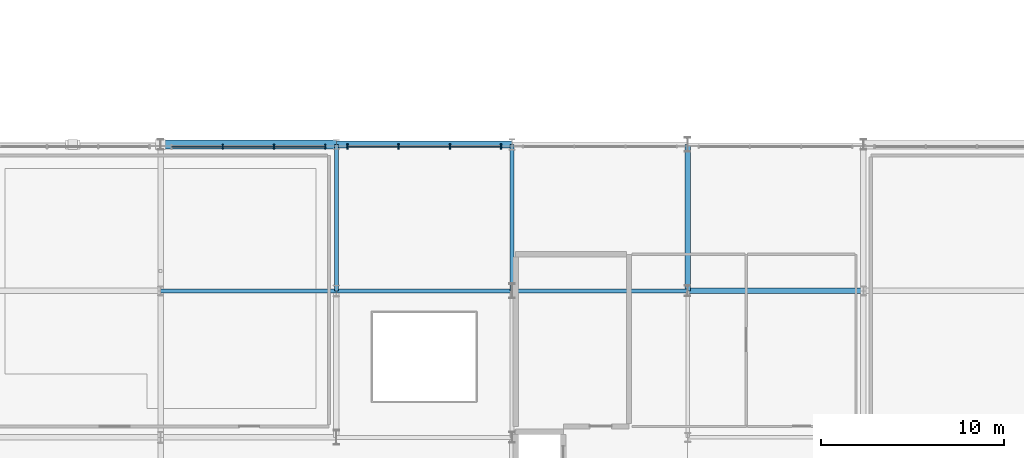
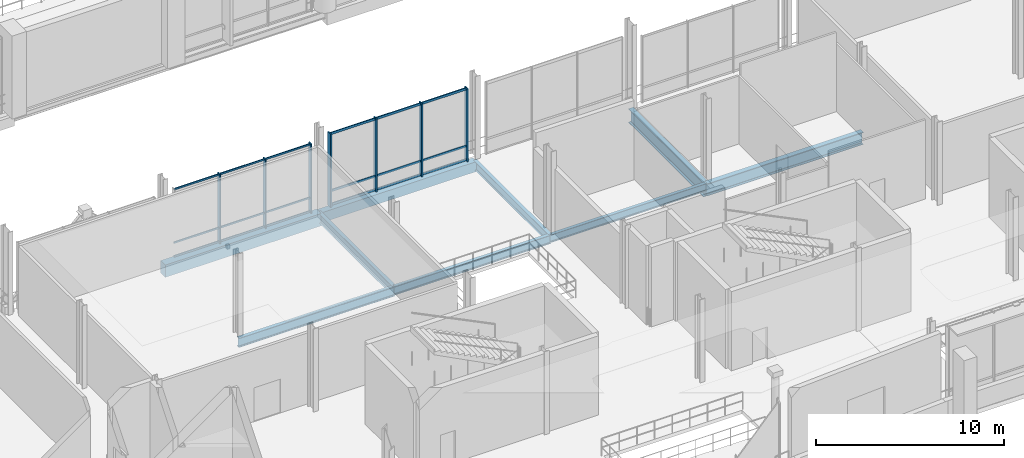
# One storey, part 33 of 129: 13 members, 9 beams, 2 elements without a shape of their own.
"""IFC4 building model written with IfcOpenShell, lengths in metres."""

from ifc_helpers import new_model, si_unit, direction, frame, origin, origin_2d, place, context, subcontext, project, spatial, rectangle, i_section, extrude, material, material_profile, profile_set, type_object, element, aggregate, save


model = new_model("IFC4")

# Units and contexts
model_context = context("Model", 3, precision=1e-05, world=origin(), true_north=direction((0.0, 1.0)))
body_context = subcontext(model_context, "Body", "Model", "MODEL_VIEW")
ifc_project = project(units=[si_unit("LENGTHUNIT", "METRE"), si_unit("AREAUNIT", "SQUARE_METRE"), si_unit("VOLUMEUNIT", "CUBIC_METRE"), si_unit("PLANEANGLEUNIT", "RADIAN"), si_unit("MASSUNIT", "GRAM", prefix="KILO")], contexts=[model_context])

# Site, building, storey
site_placement = place(None, origin())
site = spatial("IfcSite", under=ifc_project, at=site_placement, CompositionType="ELEMENT")
building_placement = place(site_placement, origin())
building = spatial("IfcBuilding", under=site, at=building_placement, Name="Danafjord Basin Convention Centre", CompositionType="ELEMENT")
storey_placement = place(building_placement, frame((0.0, 0.0, 6.0)))
storey = spatial("IfcBuildingStorey", under=building, at=storey_placement, Name="L01", CompositionType="ELEMENT", Elevation=6.0)

# Beams
ifc_material_1 = material(Name="Steel S355", Category="steel")
ifc_material_profile_1 = material_profile(ifc_material_1, i_section(OverallWidth=0.300048828125, OverallDepth=0.800048828125, WebThickness=0.017578125, FlangeThickness=0.032958984375, FilletRadius=0.030029296875, at=origin_2d()), Name="HEB 800")
ifc_profile_set_1 = profile_set([ifc_material_profile_1], Name="Steel S355")
beam_type_1 = type_object("IfcBeamType", Name="BEAM-BM-HEB800", PredefinedType="BEAM", material=ifc_profile_set_1)
beam_1_placement = place(storey_placement, frame((57.60009765625, 32.0, -0.6298828125), z_axis=(1.0, 0.0, 0.0), x_axis=(0.0, 1.0, 0.0)))
element("IfcBeam", 1, at=beam_1_placement, inside=storey, type_object=beam_type_1, Name="L01 girder BM-HEB800", PredefinedType="BEAM", context=body_context, shape_type="SweptSolid", body=[
    extrude(i_section(OverallWidth=0.300048828125, OverallDepth=0.800048828125, WebThickness=0.017578125, FlangeThickness=0.032958984375, FilletRadius=0.030029296875, at=origin_2d()), origin(), (0.0, 0.0, 1.0), 9.599853515625),
])
ifc_material_profile_2 = material_profile(ifc_material_1, i_section(OverallWidth=0.300048828125, OverallDepth=0.89990234375, WebThickness=0.0185546875, FlangeThickness=0.034912109375, FilletRadius=0.030029296875, at=origin_2d()), Name="HEB 900")
ifc_profile_set_2 = profile_set([ifc_material_profile_2], Name="Steel S355")
beam_type_2 = type_object("IfcBeamType", Name="BEAM-BM-HEB900", PredefinedType="BEAM", material=ifc_profile_set_2)
beam_2_placement = place(storey_placement, frame((57.60009765625, 32.0, -0.679931640625), z_axis=(0.0, 1.0, 0.0), x_axis=(-1.0, 0.0, 0.0)))
element("IfcBeam", 2, at=beam_2_placement, inside=storey, type_object=beam_type_2, Name="L01 transverse girder BM-HEB900", PredefinedType="BEAM", context=body_context, shape_type="SweptSolid", body=[
    extrude(i_section(OverallWidth=0.300048828125, OverallDepth=0.89990234375, WebThickness=0.0185546875, FlangeThickness=0.034912109375, FilletRadius=0.030029296875, at=origin_2d()), origin(), (0.0, 0.0, 1.0), 8.0),
])
ifc_material_profile_3 = material_profile(ifc_material_1, i_section(OverallWidth=0.199951171875, OverallDepth=0.5, WebThickness=0.01025390625, FlangeThickness=0.01611328125, FilletRadius=0.02099609375, at=origin_2d()), Name="IPE 500")
ifc_profile_set_3 = profile_set([ifc_material_profile_3], Name="Steel S355")
beam_type_3 = type_object("IfcBeamType", Name="BEAM-BM-IPE500", PredefinedType="BEAM", material=ifc_profile_set_3)
beam_3_placement = place(storey_placement, frame((48.0, 32.0, -0.47998046875), z_axis=(1.0, 0.0, 0.0), x_axis=(0.0, 1.0, 0.0)))
element("IfcBeam", 3, at=beam_3_placement, inside=storey, type_object=beam_type_3, Name="L01 girder BM-IPE500", PredefinedType="BEAM", context=body_context, shape_type="SweptSolid", body=[
    extrude(i_section(OverallWidth=0.199951171875, OverallDepth=0.5, WebThickness=0.01025390625, FlangeThickness=0.01611328125, FilletRadius=0.02099609375, at=origin_2d()), origin(), (0.0, 0.0, 1.0), 9.60009765625),
])
ifc_material_profile_4 = material_profile(ifc_material_1, i_section(OverallWidth=0.2099609375, OverallDepth=0.550048828125, WebThickness=0.010986328125, FlangeThickness=0.01708984375, FilletRadius=0.02392578125, at=origin_2d()), Name="IPE 550")
ifc_profile_set_4 = profile_set([ifc_material_profile_4], Name="Steel S355")
beam_type_4 = type_object("IfcBeamType", Name="BEAM-BM-IPE550", PredefinedType="BEAM", material=ifc_profile_set_4)
beam_4_placement = place(storey_placement, frame((38.39990234375, 32.0, -0.5048828125), z_axis=(1.0, 0.0, 0.0), x_axis=(0.0, 1.0, 0.0)))
element("IfcBeam", 4, at=beam_4_placement, inside=storey, type_object=beam_type_4, Name="L01 girder BM-IPE550", PredefinedType="BEAM", context=body_context, shape_type="SweptSolid", body=[
    extrude(i_section(OverallWidth=0.2099609375, OverallDepth=0.550048828125, WebThickness=0.010986328125, FlangeThickness=0.01708984375, FilletRadius=0.02392578125, at=origin_2d()), origin(), (0.0, 0.0, 1.0), 9.60009765625),
])
beam_5_placement = place(storey_placement, frame((48.0, 32.0, -0.5048828125), z_axis=(0.0, 1.0, 0.0), x_axis=(-1.0, 0.0, 0.0)))
element("IfcBeam", 5, at=beam_5_placement, inside=storey, type_object=beam_type_4, Name="L01 transverse girder BM-IPE550", PredefinedType="BEAM", context=body_context, shape_type="SweptSolid", body=[
    extrude(i_section(OverallWidth=0.2099609375, OverallDepth=0.550048828125, WebThickness=0.010986328125, FlangeThickness=0.01708984375, FilletRadius=0.02392578125, at=origin_2d()), origin(), (0.0, 0.0, 1.0), 8.0),
])
ifc_material_profile_5 = material_profile(ifc_material_1, i_section(OverallWidth=0.219970703125, OverallDepth=0.60009765625, WebThickness=0.011962890625, FlangeThickness=0.01904296875, FilletRadius=0.02392578125, at=origin_2d()), Name="IPE 600")
ifc_profile_set_5 = profile_set([ifc_material_profile_5], Name="Steel S355")
beam_type_5 = type_object("IfcBeamType", Name="BEAM-BM-IPE600", PredefinedType="BEAM", material=ifc_profile_set_5)
beam_6_placement = place(storey_placement, frame((28.800048828125, 32.0, -0.530029296875), z_axis=(1.0, 0.0, 0.0), x_axis=(0.0, 1.0, 0.0)))
element("IfcBeam", 6, at=beam_6_placement, inside=storey, type_object=beam_type_5, Name="L01 girder BM-IPE600", PredefinedType="BEAM", context=body_context, shape_type="SweptSolid", body=[
    extrude(i_section(OverallWidth=0.219970703125, OverallDepth=0.60009765625, WebThickness=0.011962890625, FlangeThickness=0.01904296875, FilletRadius=0.02392578125, at=origin_2d()), origin(), (0.0, 0.0, 1.0), 9.599853515625),
])
beam_7_placement = place(storey_placement, frame((38.39990234375, 32.0, -0.530029296875), z_axis=(0.0, 1.0, 0.0), x_axis=(-1.0, 0.0, 0.0)))
element("IfcBeam", 7, at=beam_7_placement, inside=storey, type_object=beam_type_5, Name="L01 transverse girder BM-IPE600", PredefinedType="BEAM", context=body_context, shape_type="SweptSolid", body=[
    extrude(i_section(OverallWidth=0.219970703125, OverallDepth=0.60009765625, WebThickness=0.011962890625, FlangeThickness=0.01904296875, FilletRadius=0.02392578125, at=origin_2d()), origin(), (0.0, 0.0, 1.0), 8.0),
])
ifc_material_2 = material(Name="Precast concrete C45/55", Category="concrete")
ifc_material_profile_6 = material_profile(ifc_material_2, rectangle(XDim=0.39990234375, YDim=0.64990234375, at=origin_2d()), Name="PCB 400x650")
ifc_profile_set_6 = profile_set([ifc_material_profile_6], Name="Precast concrete C45/55")
beam_type_6 = type_object("IfcBeamType", Name="BEAM-SP-PCB650", PredefinedType="SPANDREL", material=ifc_profile_set_6)
beam_8_placement = place(storey_placement, frame((38.39990234375, 40.0, -0.554931640625), z_axis=(1.0, 0.0, 0.0), x_axis=(0.0, 1.0, 0.0)))
element("IfcBeam", 8, at=beam_8_placement, inside=storey, type_object=beam_type_6, Name="L01 girder SP-PCB650", PredefinedType="SPANDREL", context=body_context, shape_type="SweptSolid", body=[
    extrude(rectangle(XDim=0.39990234375, YDim=0.64990234375, at=origin_2d()), origin(), (0.0, 0.0, 1.0), 9.60009765625),
])
ifc_material_profile_7 = material_profile(ifc_material_2, rectangle(XDim=0.5, YDim=0.800048828125, at=origin_2d()), Name="PCB 500x800")
ifc_profile_set_7 = profile_set([ifc_material_profile_7], Name="Precast concrete C45/55")
beam_type_7 = type_object("IfcBeamType", Name="BEAM-SP-PCB800", PredefinedType="SPANDREL", material=ifc_profile_set_7)
beam_9_placement = place(storey_placement, frame((28.800048828125, 40.0, -0.6298828125), z_axis=(1.0, 0.0, 0.0), x_axis=(0.0, 1.0, 0.0)))
element("IfcBeam", 9, at=beam_9_placement, inside=storey, type_object=beam_type_7, Name="L01 girder SP-PCB800", PredefinedType="SPANDREL", context=body_context, shape_type="SweptSolid", body=[
    extrude(rectangle(XDim=0.5, YDim=0.800048828125, at=origin_2d()), origin(), (0.0, 0.0, 1.0), 9.599853515625),
])

# Curtain wall, members
ifc_material_3 = material(Name="Anodised aluminium and triple glazing", Category="aluminium")
curtain_wall_type = type_object("IfcCurtainWallType", Name="CW-CW-TERR", PredefinedType="NOTDEFINED", material=ifc_material_3)
curtain_wall_1_placement = place(storey_placement, origin())
curtain_wall_1 = element("IfcCurtainWall", 10, at=curtain_wall_1_placement, inside=storey, type_object=curtain_wall_type, Name="L01 CW-TERR unitised curtain wall bay 48", PredefinedType="NOTDEFINED")
ifc_material_4 = material(Name="Anodised aluminium EN AW-6060", Category="aluminium")
ifc_material_profile_8 = material_profile(ifc_material_4, rectangle(XDim=0.070068359375, YDim=0.260009765625, at=origin_2d()), Name="MULL 70x260")
ifc_profile_set_8 = profile_set([ifc_material_profile_8], Name="Anodised aluminium EN AW-6060")
member_type_1 = type_object("IfcMemberType", Name="MEM-ML-260", PredefinedType="MULLION", material=ifc_profile_set_8)
member_1_placement = place(storey_placement, frame((37.800048828125, 39.8798828125, -0.02490234375), z_axis=(0.0, 0.0, 1.0), x_axis=(-1.0, 0.0, 0.0)))
member_1 = element("IfcMember", 11, at=member_1_placement, type_object=member_type_1, Name="CW-L01-048 mullion 1", PredefinedType="MULLION", context=body_context, shape_type="SweptSolid", body=[
    extrude(rectangle(XDim=0.070068359375, YDim=0.260009765625, at=origin_2d()), origin(), (0.0, 0.0, 1.0), 4.514892578125),
])
member_2_placement = place(storey_placement, frame((35.0, 39.8798828125, -0.02490234375), z_axis=(0.0, 0.0, 1.0), x_axis=(-1.0, 0.0, 0.0)))
member_2 = element("IfcMember", 12, at=member_2_placement, type_object=member_type_1, Name="CW-L01-048 mullion 2", PredefinedType="MULLION", context=body_context, shape_type="SweptSolid", body=[
    extrude(rectangle(XDim=0.070068359375, YDim=0.260009765625, at=origin_2d()), origin(), (0.0, 0.0, 1.0), 4.514892578125),
])
member_3_placement = place(storey_placement, frame((32.199951171875, 39.8798828125, -0.02490234375), z_axis=(0.0, 0.0, 1.0), x_axis=(-1.0, 0.0, 0.0)))
member_3 = element("IfcMember", 13, at=member_3_placement, type_object=member_type_1, Name="CW-L01-048 mullion 3", PredefinedType="MULLION", context=body_context, shape_type="SweptSolid", body=[
    extrude(rectangle(XDim=0.070068359375, YDim=0.260009765625, at=origin_2d()), origin(), (0.0, 0.0, 1.0), 4.514892578125),
])

curtain_wall_2_placement = place(storey_placement, origin())
curtain_wall_2 = element("IfcCurtainWall", 14, at=curtain_wall_2_placement, inside=storey, type_object=curtain_wall_type, Name="L01 CW-TERR unitised curtain wall bay 49", PredefinedType="NOTDEFINED")
ifc_material_profile_9 = material_profile(ifc_material_4, rectangle(XDim=0.080078125, YDim=0.300048828125, at=origin_2d()), Name="MULL 80x300")
ifc_profile_set_9 = profile_set([ifc_material_profile_9], Name="Anodised aluminium EN AW-6060")
member_type_2 = type_object("IfcMemberType", Name="MEM-ML-300", PredefinedType="MULLION", material=ifc_profile_set_9)
member_4_placement = place(storey_placement, frame((47.39990234375, 39.8798828125, -0.02490234375), z_axis=(0.0, 0.0, 1.0), x_axis=(-1.0, 0.0, 0.0)))
member_4 = element("IfcMember", 15, at=member_4_placement, type_object=member_type_2, Name="CW-L01-049 mullion 1", PredefinedType="MULLION", context=body_context, shape_type="SweptSolid", body=[
    extrude(rectangle(XDim=0.080078125, YDim=0.300048828125, at=origin_2d()), origin(), (0.0, 0.0, 1.0), 4.764892578125),
])
member_5_placement = place(storey_placement, frame((44.60009765625, 39.8798828125, -0.02490234375), z_axis=(0.0, 0.0, 1.0), x_axis=(-1.0, 0.0, 0.0)))
member_5 = element("IfcMember", 16, at=member_5_placement, type_object=member_type_2, Name="CW-L01-049 mullion 2", PredefinedType="MULLION", context=body_context, shape_type="SweptSolid", body=[
    extrude(rectangle(XDim=0.080078125, YDim=0.300048828125, at=origin_2d()), origin(), (0.0, 0.0, 1.0), 4.764892578125),
])
member_6_placement = place(storey_placement, frame((41.800048828125, 39.8798828125, -0.02490234375), z_axis=(0.0, 0.0, 1.0), x_axis=(-1.0, 0.0, 0.0)))
member_6 = element("IfcMember", 17, at=member_6_placement, type_object=member_type_2, Name="CW-L01-049 mullion 3", PredefinedType="MULLION", context=body_context, shape_type="SweptSolid", body=[
    extrude(rectangle(XDim=0.080078125, YDim=0.300048828125, at=origin_2d()), origin(), (0.0, 0.0, 1.0), 4.764892578125),
])
member_7_placement = place(storey_placement, frame((39.0, 39.8798828125, -0.02490234375), z_axis=(0.0, 0.0, 1.0), x_axis=(-1.0, 0.0, 0.0)))
member_7 = element("IfcMember", 18, at=member_7_placement, type_object=member_type_2, Name="CW-L01-049 mullion 4", PredefinedType="MULLION", context=body_context, shape_type="SweptSolid", body=[
    extrude(rectangle(XDim=0.080078125, YDim=0.300048828125, at=origin_2d()), origin(), (0.0, 0.0, 1.0), 4.764892578125),
])

# Member
ifc_material_profile_10 = material_profile(ifc_material_4, rectangle(XDim=0.06005859375, YDim=0.110107421875, at=origin_2d()), Name="TRAN 60x110")
ifc_profile_set_10 = profile_set([ifc_material_profile_10], Name="Anodised aluminium EN AW-6060")
member_type_3 = type_object("IfcMemberType", Name="MEM-TR-110", PredefinedType="USERDEFINED", material=ifc_profile_set_10)
member_8_placement = place(storey_placement, frame((37.800048828125, 39.8798828125, 0.06005859375), z_axis=(-1.0, 0.0, 0.0), x_axis=(0.0, -1.0, 0.0)))
member_8 = element("IfcMember", 19, at=member_8_placement, type_object=member_type_3, Name="CW-L01-048 transom 1", ObjectType="TRANSOM", PredefinedType="USERDEFINED", context=body_context, shape_type="SweptSolid", body=[
    extrude(rectangle(XDim=0.06005859375, YDim=0.110107421875, at=origin_2d()), origin(), (0.0, 0.0, 1.0), 8.400146484375),
])

member_9_placement = place(storey_placement, frame((37.800048828125, 39.8798828125, 0.949951171875), z_axis=(-1.0, 0.0, 0.0), x_axis=(0.0, -1.0, 0.0)))
member_9 = element("IfcMember", 20, at=member_9_placement, type_object=member_type_3, Name="CW-L01-048 transom 2", ObjectType="TRANSOM", PredefinedType="USERDEFINED", context=body_context, shape_type="SweptSolid", body=[
    extrude(rectangle(XDim=0.06005859375, YDim=0.110107421875, at=origin_2d()), origin(), (0.0, 0.0, 1.0), 8.400146484375),
])

member_10_placement = place(storey_placement, frame((37.800048828125, 39.8798828125, 4.419921875), z_axis=(-1.0, 0.0, 0.0), x_axis=(0.0, -1.0, 0.0)))
member_10 = element("IfcMember", 21, at=member_10_placement, type_object=member_type_3, Name="CW-L01-048 transom 3", ObjectType="TRANSOM", PredefinedType="USERDEFINED", context=body_context, shape_type="SweptSolid", body=[
    extrude(rectangle(XDim=0.06005859375, YDim=0.110107421875, at=origin_2d()), origin(), (0.0, 0.0, 1.0), 8.400146484375),
])

aggregate(curtain_wall_1, [member_1, member_2, member_3, member_8, member_9, member_10])

ifc_material_profile_11 = material_profile(ifc_material_4, rectangle(XDim=0.06005859375, YDim=0.14990234375, at=origin_2d()), Name="TRAN 60x150")
ifc_profile_set_11 = profile_set([ifc_material_profile_11], Name="Anodised aluminium EN AW-6060")
member_type_4 = type_object("IfcMemberType", Name="MEM-TR-150", PredefinedType="USERDEFINED", material=ifc_profile_set_11)
member_11_placement = place(storey_placement, frame((47.39990234375, 39.8798828125, 0.06005859375), z_axis=(-1.0, 0.0, 0.0), x_axis=(0.0, -1.0, 0.0)))
member_11 = element("IfcMember", 22, at=member_11_placement, type_object=member_type_4, Name="CW-L01-049 transom 1", ObjectType="TRANSOM", PredefinedType="USERDEFINED", context=body_context, shape_type="SweptSolid", body=[
    extrude(rectangle(XDim=0.06005859375, YDim=0.14990234375, at=origin_2d()), origin(), (0.0, 0.0, 1.0), 8.39990234375),
])

member_12_placement = place(storey_placement, frame((47.39990234375, 39.8798828125, 0.949951171875), z_axis=(-1.0, 0.0, 0.0), x_axis=(0.0, -1.0, 0.0)))
member_12 = element("IfcMember", 23, at=member_12_placement, type_object=member_type_4, Name="CW-L01-049 transom 2", ObjectType="TRANSOM", PredefinedType="USERDEFINED", context=body_context, shape_type="SweptSolid", body=[
    extrude(rectangle(XDim=0.06005859375, YDim=0.14990234375, at=origin_2d()), origin(), (0.0, 0.0, 1.0), 8.39990234375),
])

member_13_placement = place(storey_placement, frame((47.39990234375, 39.8798828125, 4.669921875), z_axis=(-1.0, 0.0, 0.0), x_axis=(0.0, -1.0, 0.0)))
member_13 = element("IfcMember", 24, at=member_13_placement, type_object=member_type_4, Name="CW-L01-049 transom 3", ObjectType="TRANSOM", PredefinedType="USERDEFINED", context=body_context, shape_type="SweptSolid", body=[
    extrude(rectangle(XDim=0.06005859375, YDim=0.14990234375, at=origin_2d()), origin(), (0.0, 0.0, 1.0), 8.39990234375),
])

aggregate(curtain_wall_2, [member_4, member_5, member_6, member_7, member_11, member_12, member_13])

save(model, "model.ifc")
